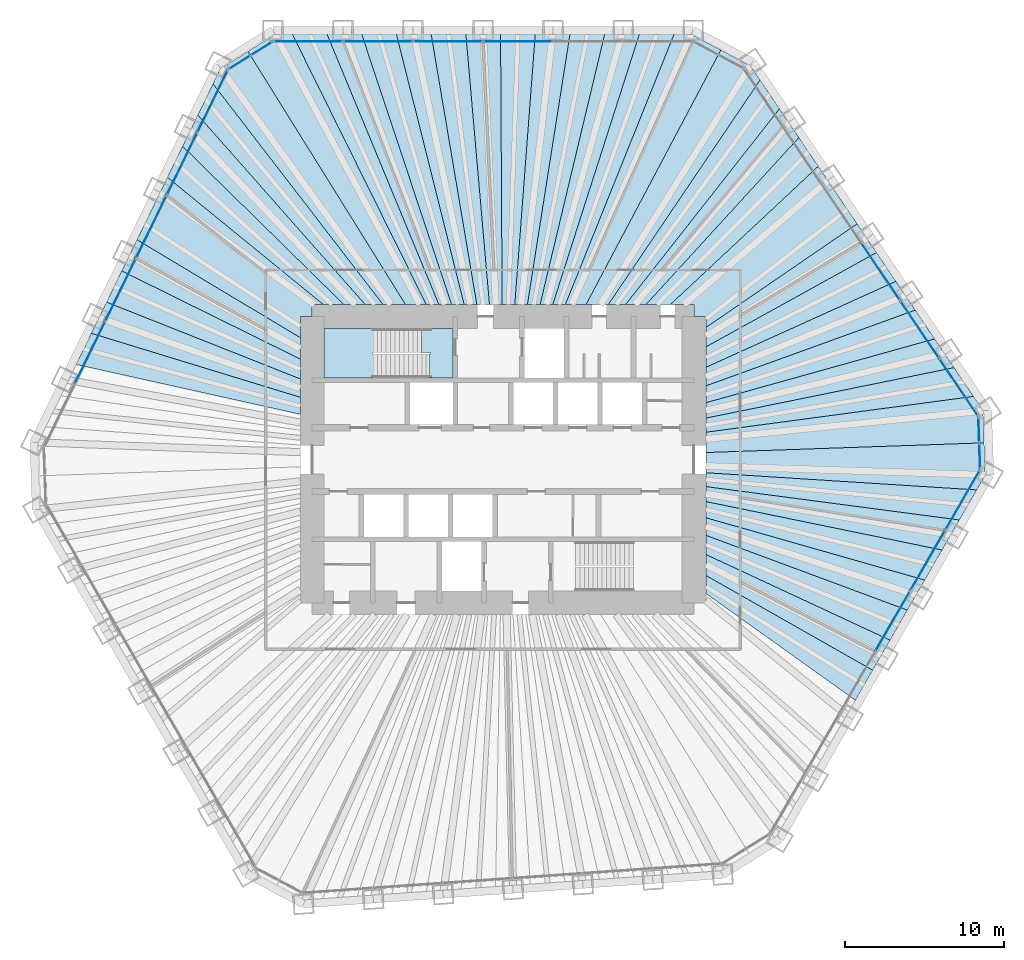
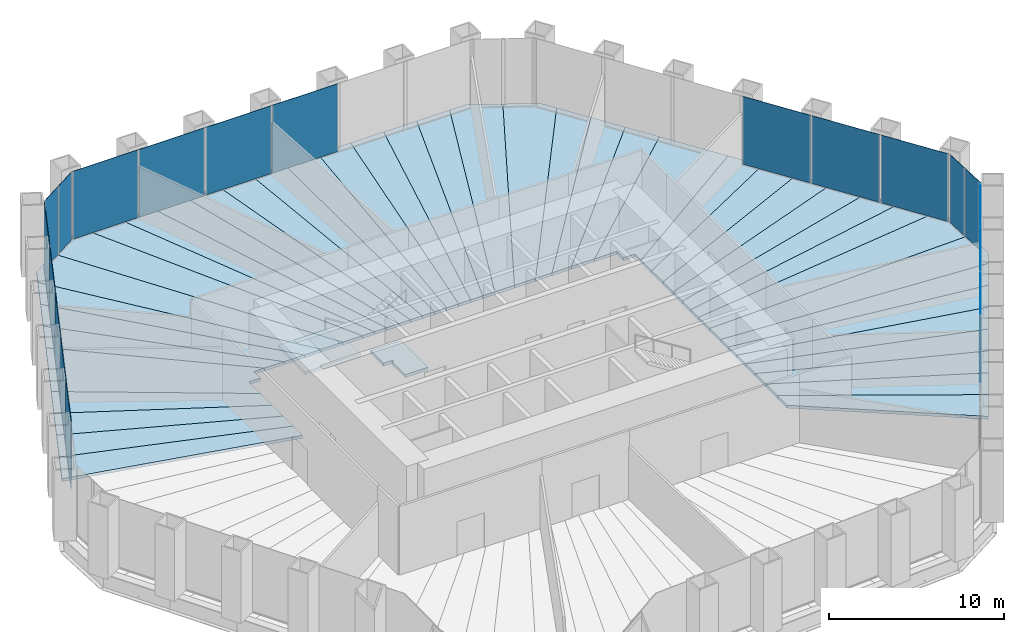
# One storey, part 9 of 14: 44 slabs, 19 plates, 7 elements without a shape of their own.
"""IFC4 building model written with IfcOpenShell, lengths in metres."""

from ifc_helpers import new_model, si_unit, direction, frame, origin, origin_2d, place, context, subcontext, project, spatial, polyline, rectangle, outline, extrude, material, layer, layer_set, type_object, element, aggregate, save


model = new_model("IFC4")

# Units and contexts
model_context = context("Model", 3, precision=1e-05, world=origin(), true_north=direction((0.0, 1.0)))
body_context = subcontext(model_context, "Body", "Model", "MODEL_VIEW")
ifc_project = project(units=[si_unit("LENGTHUNIT", "METRE"), si_unit("AREAUNIT", "SQUARE_METRE"), si_unit("VOLUMEUNIT", "CUBIC_METRE"), si_unit("PLANEANGLEUNIT", "RADIAN"), si_unit("MASSUNIT", "GRAM", prefix="KILO")], contexts=[model_context])

# Site, building, storey
site_placement = place(None, origin())
site = spatial("IfcSite", under=ifc_project, at=site_placement, CompositionType="ELEMENT")
building_placement = place(site_placement, origin())
building = spatial("IfcBuilding", under=site, at=building_placement, Name="Qingtian Harvest Tower", CompositionType="ELEMENT")
storey_placement = place(building_placement, frame((0.0, 0.0, 52.0)))
storey = spatial("IfcBuildingStorey", under=building, at=storey_placement, Name="L10", CompositionType="ELEMENT", Elevation=52.0)

# Slabs
ifc_material_1 = material(Name="Concrete fc' 35 MPa", Category="concrete")
ifc_layer_1 = layer(ifc_material_1, 0.199951171875)
ifc_layer_set_1 = layer_set([ifc_layer_1], Name="Composite floor slab FS20 200")
slab_type_1 = type_object("IfcSlabType", Name="Composite floor slab FS20 200", PredefinedType="FLOOR", material=ifc_layer_set_1)
slab_1_placement = place(storey_placement, frame((0.0, 0.0, -0.199951171875)))
element("IfcSlab", 1, at=slab_1_placement, inside=storey, type_object=slab_type_1, Name="Floor slab L10 panel D32", PredefinedType="FLOOR", context=body_context, shape_type="SweptSolid", body=[
    extrude(outline(polyline([(12.75, -7.279052734375), (23.247802734375, -13.243408203125), (22.159423828125, -15.128662109375), (12.75, -8.4091796875), (12.75, -7.279052734375)])), origin(), (0.0, 0.0, 1.0), 0.199951171875),
])
slab_2_placement = place(storey_placement, frame((0.0, 0.0, -0.199951171875)))
element("IfcSlab", 2, at=slab_2_placement, inside=storey, type_object=slab_type_1, Name="Floor slab L10 panel D33", PredefinedType="FLOOR", context=body_context, shape_type="SweptSolid", body=[
    extrude(outline(polyline([(12.75, -5.96142578125), (24.339111328125, -11.353515625), (23.247802734375, -13.243408203125), (12.75, -7.279052734375), (12.75, -5.96142578125)])), origin(), (0.0, 0.0, 1.0), 0.199951171875),
])
slab_3_placement = place(storey_placement, frame((0.0, 0.0, -0.199951171875)))
element("IfcSlab", 3, at=slab_3_placement, inside=storey, type_object=slab_type_1, Name="Floor slab L10 panel D34", PredefinedType="FLOOR", context=body_context, shape_type="SweptSolid", body=[
    extrude(outline(polyline([(12.75, -4.757080078125), (25.43017578125, -9.46337890625), (24.339111328125, -11.353515625), (12.75, -5.96142578125), (12.75, -4.757080078125)])), origin(), (0.0, 0.0, 1.0), 0.199951171875),
])
slab_4_placement = place(storey_placement, frame((0.0, 0.0, -0.199951171875)))
element("IfcSlab", 4, at=slab_4_placement, inside=storey, type_object=slab_type_1, Name="Floor slab L10 panel D35", PredefinedType="FLOOR", context=body_context, shape_type="SweptSolid", body=[
    extrude(outline(polyline([(12.75, -3.651611328125), (26.521484375, -7.573486328125), (25.43017578125, -9.46337890625), (12.75, -4.757080078125), (12.75, -3.651611328125)])), origin(), (0.0, 0.0, 1.0), 0.199951171875),
])
slab_5_placement = place(storey_placement, frame((0.0, 0.0, -0.199951171875)))
element("IfcSlab", 5, at=slab_5_placement, inside=storey, type_object=slab_type_1, Name="Floor slab L10 panel D36", PredefinedType="FLOOR", context=body_context, shape_type="SweptSolid", body=[
    extrude(outline(polyline([(12.75, -2.634033203125), (27.612548828125, -5.68359375), (26.521484375, -7.573486328125), (12.75, -3.651611328125), (12.75, -2.634033203125)])), origin(), (0.0, 0.0, 1.0), 0.199951171875),
])
slab_6_placement = place(storey_placement, frame((0.0, 0.0, -0.199951171875)))
element("IfcSlab", 6, at=slab_6_placement, inside=storey, type_object=slab_type_1, Name="Floor slab L10 panel D37", PredefinedType="FLOOR", context=body_context, shape_type="SweptSolid", body=[
    extrude(outline(polyline([(12.75, -1.693603515625), (28.703857421875, -3.793701171875), (27.612548828125, -5.68359375), (12.75, -2.634033203125), (12.75, -1.693603515625)])), origin(), (0.0, 0.0, 1.0), 0.199951171875),
])
slab_7_placement = place(storey_placement, frame((0.0, 0.0, -0.199951171875)))
element("IfcSlab", 7, at=slab_7_placement, inside=storey, type_object=slab_type_1, Name="Floor slab L10 panel D38", PredefinedType="FLOOR", context=body_context, shape_type="SweptSolid", body=[
    extrude(outline(polyline([(12.75, -0.822265625), (29.794921875, -1.903564453125), (28.703857421875, -3.793701171875), (12.75, -1.693603515625), (12.75, -0.822265625)])), origin(), (0.0, 0.0, 1.0), 0.199951171875),
])
slab_8_placement = place(storey_placement, frame((0.0, 0.0, -0.199951171875)))
element("IfcSlab", 8, at=slab_8_placement, inside=storey, type_object=slab_type_1, Name="Floor slab L10 panel D39", PredefinedType="FLOOR", context=body_context, shape_type="SweptSolid", body=[
    extrude(outline(polyline([(12.75, -0.822265625), (12.75, 0.447265625), (30.2587890625, 1.056640625), (30.32958984375, -0.9775390625), (29.794921875, -1.903564453125), (12.75, -0.822265625)])), origin(), (0.0, 0.0, 1.0), 0.199951171875),
])
slab_9_placement = place(storey_placement, frame((0.0, 0.0, -0.199951171875)))
element("IfcSlab", 9, at=slab_9_placement, inside=storey, type_object=slab_type_1, Name="Floor slab L10 panel D40", PredefinedType="FLOOR", context=body_context, shape_type="SweptSolid", body=[
    extrude(outline(polyline([(12.75, 0.447265625), (12.75, 1.72265625), (29.589599609375, 3.977294921875), (30.187744140625, 3.0908203125), (30.2587890625, 1.056640625), (12.75, 0.447265625)])), origin(), (0.0, 0.0, 1.0), 0.199951171875),
])
slab_10_placement = place(storey_placement, frame((0.0, 0.0, -0.199951171875)))
element("IfcSlab", 10, at=slab_10_placement, inside=storey, type_object=slab_type_1, Name="Floor slab L10 panel D41", PredefinedType="FLOOR", context=body_context, shape_type="SweptSolid", body=[
    extrude(outline(polyline([(12.75, 2.610595703125), (28.369140625, 5.78662109375), (29.589599609375, 3.977294921875), (12.75, 1.72265625), (12.75, 2.610595703125)])), origin(), (0.0, 0.0, 1.0), 0.199951171875),
])
slab_11_placement = place(storey_placement, frame((0.0, 0.0, -0.199951171875)))
element("IfcSlab", 11, at=slab_11_placement, inside=storey, type_object=slab_type_1, Name="Floor slab L10 panel D42", PredefinedType="FLOOR", context=body_context, shape_type="SweptSolid", body=[
    extrude(outline(polyline([(12.75, 3.57861328125), (27.14892578125, 7.595947265625), (28.369140625, 5.78662109375), (12.75, 2.610595703125), (12.75, 3.57861328125)])), origin(), (0.0, 0.0, 1.0), 0.199951171875),
])
slab_12_placement = place(storey_placement, frame((0.0, 0.0, -0.199951171875)))
element("IfcSlab", 12, at=slab_12_placement, inside=storey, type_object=slab_type_1, Name="Floor slab L10 panel D43", PredefinedType="FLOOR", context=body_context, shape_type="SweptSolid", body=[
    extrude(outline(polyline([(12.75, 4.6376953125), (25.928466796875, 9.405029296875), (27.14892578125, 7.595947265625), (12.75, 3.57861328125), (12.75, 4.6376953125)])), origin(), (0.0, 0.0, 1.0), 0.199951171875),
])
slab_13_placement = place(storey_placement, frame((0.0, 0.0, -0.199951171875)))
element("IfcSlab", 13, at=slab_13_placement, inside=storey, type_object=slab_type_1, Name="Floor slab L10 panel D44", PredefinedType="FLOOR", context=body_context, shape_type="SweptSolid", body=[
    extrude(outline(polyline([(12.75, 5.8017578125), (24.708251953125, 11.21435546875), (25.928466796875, 9.405029296875), (12.75, 4.6376953125), (12.75, 5.8017578125)])), origin(), (0.0, 0.0, 1.0), 0.199951171875),
])
slab_14_placement = place(storey_placement, frame((0.0, 0.0, -0.199951171875)))
element("IfcSlab", 14, at=slab_14_placement, inside=storey, type_object=slab_type_1, Name="Floor slab L10 panel D45", PredefinedType="FLOOR", context=body_context, shape_type="SweptSolid", body=[
    extrude(outline(polyline([(12.75, 7.087158203125), (23.48779296875, 13.023681640625), (24.708251953125, 11.21435546875), (12.75, 5.8017578125), (12.75, 7.087158203125)])), origin(), (0.0, 0.0, 1.0), 0.199951171875),
])
slab_15_placement = place(storey_placement, frame((0.0, 0.0, -0.199951171875)))
element("IfcSlab", 15, at=slab_15_placement, inside=storey, type_object=slab_type_1, Name="Floor slab L10 panel D46", PredefinedType="FLOOR", context=body_context, shape_type="SweptSolid", body=[
    extrude(outline(polyline([(12.75, 8.30615234375), (22.26953125, 14.829833984375), (23.48779296875, 13.023681640625), (12.75, 7.087158203125), (12.75, 8.30615234375)])), origin(), (0.0, 0.0, 1.0), 0.199951171875),
])
slab_16_placement = place(storey_placement, frame((0.0, 0.0, -0.199951171875)))
element("IfcSlab", 16, at=slab_16_placement, inside=storey, type_object=slab_type_1, Name="Floor slab L10 panel D48", PredefinedType="FLOOR", context=body_context, shape_type="SweptSolid", body=[
    extrude(outline(polyline([(19.8271484375, 18.45068359375), (22.26953125, 14.829833984375), (12.75, 8.30615234375), (12.75, 9.0), (12.0, 9.0), (12.0, 9.75), (10.51806640625, 9.75), (19.8271484375, 18.45068359375)])), origin(), (0.0, 0.0, 1.0), 0.199951171875),
])
slab_17_placement = place(storey_placement, frame((0.0, 0.0, -0.199951171875)))
element("IfcSlab", 17, at=slab_17_placement, inside=storey, type_object=slab_type_1, Name="Floor slab L10 panel D49", PredefinedType="FLOOR", context=body_context, shape_type="SweptSolid", body=[
    extrude(outline(polyline([(8.985107421875, 9.75), (18.60693359375, 20.260009765625), (19.8271484375, 18.45068359375), (10.51806640625, 9.75), (8.985107421875, 9.75)])), origin(), (0.0, 0.0, 1.0), 0.199951171875),
])
slab_18_placement = place(storey_placement, frame((0.0, 0.0, -0.199951171875)))
element("IfcSlab", 18, at=slab_18_placement, inside=storey, type_object=slab_type_1, Name="Floor slab L10 panel D50", PredefinedType="FLOOR", context=body_context, shape_type="SweptSolid", body=[
    extrude(outline(polyline([(7.705078125, 9.75), (17.386474609375, 22.0693359375), (18.60693359375, 20.260009765625), (8.985107421875, 9.75), (7.705078125, 9.75)])), origin(), (0.0, 0.0, 1.0), 0.199951171875),
])
slab_19_placement = place(storey_placement, frame((0.0, 0.0, -0.199951171875)))
element("IfcSlab", 19, at=slab_19_placement, inside=storey, type_object=slab_type_1, Name="Floor slab L10 panel D51", PredefinedType="FLOOR", context=body_context, shape_type="SweptSolid", body=[
    extrude(outline(polyline([(6.61962890625, 9.75), (16.166015625, 23.87841796875), (17.386474609375, 22.0693359375), (7.705078125, 9.75), (6.61962890625, 9.75)])), origin(), (0.0, 0.0, 1.0), 0.199951171875),
])
slab_20_placement = place(storey_placement, frame((0.0, 0.0, -0.199951171875)))
element("IfcSlab", 20, at=slab_20_placement, inside=storey, type_object=slab_type_1, Name="Floor slab L10 panel D52", PredefinedType="FLOOR", context=body_context, shape_type="SweptSolid", body=[
    extrude(outline(polyline([(6.61962890625, 9.75), (5.21875, 9.75), (13.697265625, 25.760009765625), (15.56787109375, 24.765380859375), (16.166015625, 23.87841796875), (6.61962890625, 9.75)])), origin(), (0.0, 0.0, 1.0), 0.199951171875),
])
slab_21_placement = place(storey_placement, frame((0.0, 0.0, -0.199951171875)))
element("IfcSlab", 21, at=slab_21_placement, inside=storey, type_object=slab_type_1, Name="Floor slab L10 panel D53", PredefinedType="FLOOR", context=body_context, shape_type="SweptSolid", body=[
    extrude(outline(polyline([(3.919921875, 9.75), (10.756591796875, 26.7548828125), (11.825927734375, 26.7548828125), (13.697265625, 25.760009765625), (5.21875, 9.75), (3.919921875, 9.75)])), origin(), (0.0, 0.0, 1.0), 0.199951171875),
])
slab_22_placement = place(storey_placement, frame((0.0, 0.0, -0.199951171875)))
element("IfcSlab", 22, at=slab_22_placement, inside=storey, type_object=slab_type_1, Name="Floor slab L10 panel D54", PredefinedType="FLOOR", context=body_context, shape_type="SweptSolid", body=[
    extrude(outline(polyline([(3.12451171875, 9.75), (8.57421875, 26.7548828125), (10.756591796875, 26.7548828125), (3.919921875, 9.75), (3.12451171875, 9.75)])), origin(), (0.0, 0.0, 1.0), 0.199951171875),
])
slab_23_placement = place(storey_placement, frame((0.0, 0.0, -0.199951171875)))
element("IfcSlab", 23, at=slab_23_placement, inside=storey, type_object=slab_type_1, Name="Floor slab L10 panel D55", PredefinedType="FLOOR", context=body_context, shape_type="SweptSolid", body=[
    extrude(outline(polyline([(2.329345703125, 9.75), (6.391845703125, 26.7548828125), (8.57421875, 26.7548828125), (3.12451171875, 9.75), (2.329345703125, 9.75)])), origin(), (0.0, 0.0, 1.0), 0.199951171875),
])
slab_24_placement = place(storey_placement, frame((0.0, 0.0, -0.199951171875)))
element("IfcSlab", 24, at=slab_24_placement, inside=storey, type_object=slab_type_1, Name="Floor slab L10 panel D56", PredefinedType="FLOOR", context=body_context, shape_type="SweptSolid", body=[
    extrude(outline(polyline([(1.533935546875, 9.75), (4.20947265625, 26.7548828125), (6.391845703125, 26.7548828125), (2.329345703125, 9.75), (1.533935546875, 9.75)])), origin(), (0.0, 0.0, 1.0), 0.199951171875),
])
slab_25_placement = place(storey_placement, frame((0.0, 0.0, -0.199951171875)))
element("IfcSlab", 25, at=slab_25_placement, inside=storey, type_object=slab_type_1, Name="Floor slab L10 panel D57", PredefinedType="FLOOR", context=body_context, shape_type="SweptSolid", body=[
    extrude(outline(polyline([(0.73876953125, 9.75), (2.02734375, 26.7548828125), (4.20947265625, 26.7548828125), (1.533935546875, 9.75), (0.73876953125, 9.75)])), origin(), (0.0, 0.0, 1.0), 0.199951171875),
])
slab_26_placement = place(storey_placement, frame((0.0, 0.0, -0.199951171875)))
element("IfcSlab", 26, at=slab_26_placement, inside=storey, type_object=slab_type_1, Name="Floor slab L10 panel D58", PredefinedType="FLOOR", context=body_context, shape_type="SweptSolid", body=[
    extrude(outline(polyline([(-0.056396484375, 9.75), (-0.155029296875, 26.7548828125), (2.02734375, 26.7548828125), (0.73876953125, 9.75), (-0.056396484375, 9.75)])), origin(), (0.0, 0.0, 1.0), 0.199951171875),
])
slab_27_placement = place(storey_placement, frame((0.0, 0.0, -0.199951171875)))
element("IfcSlab", 27, at=slab_27_placement, inside=storey, type_object=slab_type_1, Name="Floor slab L10 panel D59", PredefinedType="FLOOR", context=body_context, shape_type="SweptSolid", body=[
    extrude(outline(polyline([(-0.851806640625, 9.75), (-2.33740234375, 26.7548828125), (-0.155029296875, 26.7548828125), (-0.056396484375, 9.75), (-0.851806640625, 9.75)])), origin(), (0.0, 0.0, 1.0), 0.199951171875),
])
slab_28_placement = place(storey_placement, frame((0.0, 0.0, -0.199951171875)))
element("IfcSlab", 28, at=slab_28_placement, inside=storey, type_object=slab_type_1, Name="Floor slab L10 panel D60", PredefinedType="FLOOR", context=body_context, shape_type="SweptSolid", body=[
    extrude(outline(polyline([(-1.64697265625, 9.75), (-4.519775390625, 26.7548828125), (-2.33740234375, 26.7548828125), (-0.851806640625, 9.75), (-1.64697265625, 9.75)])), origin(), (0.0, 0.0, 1.0), 0.199951171875),
])
slab_29_placement = place(storey_placement, frame((0.0, 0.0, -0.199951171875)))
element("IfcSlab", 29, at=slab_29_placement, inside=storey, type_object=slab_type_1, Name="Floor slab L10 panel D61", PredefinedType="FLOOR", context=body_context, shape_type="SweptSolid", body=[
    extrude(outline(polyline([(-2.4423828125, 9.75), (-6.7021484375, 26.7548828125), (-4.519775390625, 26.7548828125), (-1.64697265625, 9.75), (-2.4423828125, 9.75)])), origin(), (0.0, 0.0, 1.0), 0.199951171875),
])
slab_30_placement = place(storey_placement, frame((0.0, 0.0, -0.199951171875)))
element("IfcSlab", 30, at=slab_30_placement, inside=storey, type_object=slab_type_1, Name="Floor slab L10 panel D62", PredefinedType="FLOOR", context=body_context, shape_type="SweptSolid", body=[
    extrude(outline(polyline([(-3.237548828125, 9.75), (-8.88427734375, 26.7548828125), (-6.7021484375, 26.7548828125), (-2.4423828125, 9.75), (-3.237548828125, 9.75)])), origin(), (0.0, 0.0, 1.0), 0.199951171875),
])
slab_31_placement = place(storey_placement, frame((0.0, 0.0, -0.199951171875)))
element("IfcSlab", 31, at=slab_31_placement, inside=storey, type_object=slab_type_1, Name="Floor slab L10 panel D63", PredefinedType="FLOOR", context=body_context, shape_type="SweptSolid", body=[
    extrude(outline(polyline([(-4.032958984375, 9.75), (-11.066650390625, 26.7548828125), (-8.88427734375, 26.7548828125), (-3.237548828125, 9.75), (-4.032958984375, 9.75)])), origin(), (0.0, 0.0, 1.0), 0.199951171875),
])
slab_32_placement = place(storey_placement, frame((0.0, 0.0, -0.199951171875)))
element("IfcSlab", 32, at=slab_32_placement, inside=storey, type_object=slab_type_1, Name="Floor slab L10 panel D64", PredefinedType="FLOOR", context=body_context, shape_type="SweptSolid", body=[
    extrude(outline(polyline([(-4.828125, 9.75), (-13.2490234375, 26.7548828125), (-11.066650390625, 26.7548828125), (-4.032958984375, 9.75), (-4.828125, 9.75)])), origin(), (0.0, 0.0, 1.0), 0.199951171875),
])
slab_33_placement = place(storey_placement, frame((0.0, 0.0, -0.199951171875)))
element("IfcSlab", 33, at=slab_33_placement, inside=storey, type_object=slab_type_1, Name="Floor slab L10 panel D65", PredefinedType="FLOOR", context=body_context, shape_type="SweptSolid", body=[
    extrude(outline(polyline([(-4.828125, 9.75), (-6.130126953125, 9.75), (-16.044921875, 25.67626953125), (-14.318359375, 26.7548828125), (-13.2490234375, 26.7548828125), (-4.828125, 9.75)])), origin(), (0.0, 0.0, 1.0), 0.199951171875),
])
slab_34_placement = place(storey_placement, frame((0.0, 0.0, -0.199951171875)))
element("IfcSlab", 34, at=slab_34_placement, inside=storey, type_object=slab_type_1, Name="Floor slab L10 panel D66", PredefinedType="FLOOR", context=body_context, shape_type="SweptSolid", body=[
    extrude(outline(polyline([(-6.130126953125, 9.75), (-7.544677734375, 9.75), (-18.239501953125, 23.636474609375), (-17.7705078125, 24.597900390625), (-16.044921875, 25.67626953125), (-6.130126953125, 9.75)])), origin(), (0.0, 0.0, 1.0), 0.199951171875),
])
slab_35_placement = place(storey_placement, frame((0.0, 0.0, -0.199951171875)))
element("IfcSlab", 35, at=slab_35_placement, inside=storey, type_object=slab_type_1, Name="Floor slab L10 panel D67", PredefinedType="FLOOR", context=body_context, shape_type="SweptSolid", body=[
    extrude(outline(polyline([(-8.662109375, 9.75), (-19.196044921875, 21.675048828125), (-18.239501953125, 23.636474609375), (-7.544677734375, 9.75), (-8.662109375, 9.75)])), origin(), (0.0, 0.0, 1.0), 0.199951171875),
])
slab_36_placement = place(storey_placement, frame((0.0, 0.0, -0.199951171875)))
element("IfcSlab", 36, at=slab_36_placement, inside=storey, type_object=slab_type_1, Name="Floor slab L10 panel D68", PredefinedType="FLOOR", context=body_context, shape_type="SweptSolid", body=[
    extrude(outline(polyline([(-10.00341796875, 9.75), (-20.15283203125, 19.71337890625), (-19.196044921875, 21.675048828125), (-8.662109375, 9.75), (-10.00341796875, 9.75)])), origin(), (0.0, 0.0, 1.0), 0.199951171875),
])
slab_37_placement = place(storey_placement, frame((0.0, 0.0, -0.199951171875)))
element("IfcSlab", 37, at=slab_37_placement, inside=storey, type_object=slab_type_1, Name="Floor slab L10 panel D69", PredefinedType="FLOOR", context=body_context, shape_type="SweptSolid", body=[
    extrude(outline(polyline([(-11.2939453125, 9.75), (-21.107666015625, 17.755859375), (-20.15283203125, 19.71337890625), (-10.00341796875, 9.75), (-11.2939453125, 9.75)])), origin(), (0.0, 0.0, 1.0), 0.199951171875),
])
slab_38_placement = place(storey_placement, frame((0.0, 0.0, -0.199951171875)))
element("IfcSlab", 38, at=slab_38_placement, inside=storey, type_object=slab_type_1, Name="Floor slab L10 panel D70", PredefinedType="FLOOR", context=body_context, shape_type="SweptSolid", body=[
    extrude(outline(polyline([(-12.0, 9.0), (-12.75, 9.0), (-12.75, 7.67333984375), (-23.0224609375, 13.82958984375), (-21.107666015625, 17.755859375), (-11.2939453125, 9.75), (-12.0, 9.75), (-12.0, 9.0)])), origin(), (0.0, 0.0, 1.0), 0.199951171875),
])
slab_39_placement = place(storey_placement, frame((0.0, 0.0, -0.199951171875)))
element("IfcSlab", 39, at=slab_39_placement, inside=storey, type_object=slab_type_1, Name="Floor slab L10 panel D72", PredefinedType="FLOOR", context=body_context, shape_type="SweptSolid", body=[
    extrude(outline(polyline([(-12.75, 6.3232421875), (-23.979248046875, 11.8681640625), (-23.0224609375, 13.82958984375), (-12.75, 7.67333984375), (-12.75, 6.3232421875)])), origin(), (0.0, 0.0, 1.0), 0.199951171875),
])
slab_40_placement = place(storey_placement, frame((0.0, 0.0, -0.199951171875)))
element("IfcSlab", 40, at=slab_40_placement, inside=storey, type_object=slab_type_1, Name="Floor slab L10 panel D73", PredefinedType="FLOOR", context=body_context, shape_type="SweptSolid", body=[
    extrude(outline(polyline([(-12.75, 5.076904296875), (-24.935791015625, 9.90673828125), (-23.979248046875, 11.8681640625), (-12.75, 6.3232421875), (-12.75, 5.076904296875)])), origin(), (0.0, 0.0, 1.0), 0.199951171875),
])
slab_41_placement = place(storey_placement, frame((0.0, 0.0, -0.199951171875)))
element("IfcSlab", 41, at=slab_41_placement, inside=storey, type_object=slab_type_1, Name="Floor slab L10 panel D74", PredefinedType="FLOOR", context=body_context, shape_type="SweptSolid", body=[
    extrude(outline(polyline([(-12.75, 3.922607421875), (-25.892578125, 7.9453125), (-24.935791015625, 9.90673828125), (-12.75, 5.076904296875), (-12.75, 3.922607421875)])), origin(), (0.0, 0.0, 1.0), 0.199951171875),
])
slab_42_placement = place(storey_placement, frame((0.0, 0.0, -0.199951171875)))
element("IfcSlab", 42, at=slab_42_placement, inside=storey, type_object=slab_type_1, Name="Floor slab L10 panel D75", PredefinedType="FLOOR", context=body_context, shape_type="SweptSolid", body=[
    extrude(outline(polyline([(-12.75, 2.8505859375), (-26.84912109375, 5.98388671875), (-25.892578125, 7.9453125), (-12.75, 3.922607421875), (-12.75, 2.8505859375)])), origin(), (0.0, 0.0, 1.0), 0.199951171875),
])

# Curtain wall, plates
ifc_material_2 = material(Name="Bronze-anodised aluminium curtain wall", Category="aluminium")
curtain_wall_type = type_object("IfcCurtainWallType", Name="Curtain wall CW2 farm reception", PredefinedType="USERDEFINED", material=ifc_material_2)
curtain_wall_1_placement = place(storey_placement, origin())
curtain_wall_1 = element("IfcCurtainWall", 43, at=curtain_wall_1_placement, inside=storey, type_object=curtain_wall_type, Name="Curtain wall CW2 L10 N0-5", ObjectType="RECESSED CURTAIN WALL", PredefinedType="USERDEFINED")
ifc_material_3 = material(Name="Bronze-tinted laminated insulating glass", Category="glass")
ifc_layer_2 = layer(ifc_material_3, 0.030029296875)
ifc_layer_set_2 = layer_set([ifc_layer_2], Name="Glazed panel CWP tinted IGU")
plate_type = type_object("IfcPlateType", Name="Glazed panel CWP tinted IGU", PredefinedType="CURTAIN_PANEL", material=ifc_layer_set_2)
plate_1_placement = place(storey_placement, frame((-12.2529296875, 26.300048828125, 0.06494140625), z_axis=(0.0, 0.0, 1.0), x_axis=(1.0, 0.0, 0.0)))
plate_1 = element("IfcPlate", 44, at=plate_1_placement, type_object=plate_type, Name="CW2 panel 1.1", PredefinedType="CURTAIN_PANEL", context=body_context, shape_type="SweptSolid", body=[
    extrude(rectangle(XDim=4.30712890625, YDim=0.030029296875, at=origin_2d()), origin(), (0.0, 0.0, 1.0), 4.735107421875),
])
plate_2_placement = place(storey_placement, frame((-7.864501953125, 26.300048828125, 0.06494140625), z_axis=(0.0, 0.0, 1.0), x_axis=(1.0, 0.0, 0.0)))
plate_2 = element("IfcPlate", 45, at=plate_2_placement, type_object=plate_type, Name="CW2 panel 2.1", PredefinedType="CURTAIN_PANEL", context=body_context, shape_type="SweptSolid", body=[
    extrude(rectangle(XDim=4.339599609375, YDim=0.030029296875, at=origin_2d()), origin(), (0.0, 0.0, 1.0), 4.735107421875),
])
plate_3_placement = place(storey_placement, frame((-3.4599609375, 26.300048828125, 0.06494140625), z_axis=(0.0, 0.0, 1.0), x_axis=(1.0, 0.0, 0.0)))
plate_3 = element("IfcPlate", 46, at=plate_3_placement, type_object=plate_type, Name="CW2 panel 3.1", PredefinedType="CURTAIN_PANEL", context=body_context, shape_type="SweptSolid", body=[
    extrude(rectangle(XDim=4.339599609375, YDim=0.030029296875, at=origin_2d()), origin(), (0.0, 0.0, 1.0), 4.735107421875),
])
plate_4_placement = place(storey_placement, frame((0.944580078125, 26.300048828125, 0.06494140625), z_axis=(0.0, 0.0, 1.0), x_axis=(1.0, 0.0, 0.0)))
plate_4 = element("IfcPlate", 47, at=plate_4_placement, type_object=plate_type, Name="CW2 panel 4.1", PredefinedType="CURTAIN_PANEL", context=body_context, shape_type="SweptSolid", body=[
    extrude(rectangle(XDim=4.339599609375, YDim=0.030029296875, at=origin_2d()), origin(), (0.0, 0.0, 1.0), 4.735107421875),
])
aggregate(curtain_wall_1, [plate_1, plate_2, plate_3, plate_4])

curtain_wall_2_placement = place(storey_placement, origin())
curtain_wall_2 = element("IfcCurtainWall", 48, at=curtain_wall_2_placement, inside=storey, type_object=curtain_wall_type, Name="Curtain wall CW2 L10 NE0-5", ObjectType="RECESSED CURTAIN WALL", PredefinedType="USERDEFINED")
plate_5_placement = place(storey_placement, frame((23.738525390625, 11.83837890625, 0.06494140625), z_axis=(0.0, 0.0, 1.0), x_axis=(0.559192903471, -0.829037572555, 0.0)))
plate_5 = element("IfcPlate", 49, at=plate_5_placement, type_object=plate_type, Name="CW2 panel 4.1", PredefinedType="CURTAIN_PANEL", context=body_context, shape_type="SweptSolid", body=[
    extrude(rectangle(XDim=4.339599609375, YDim=0.030029296875, at=origin_2d()), origin(), (0.0, 0.0, 1.0), 4.735107421875),
])
plate_6_placement = place(storey_placement, frame((26.201416015625, 8.186767578125, 0.06494140625), z_axis=(0.0, 0.0, 1.0), x_axis=(0.559192903471, -0.829037572555, 0.0)))
plate_6 = element("IfcPlate", 50, at=plate_6_placement, type_object=plate_type, Name="CW2 panel 5.1", PredefinedType="CURTAIN_PANEL", context=body_context, shape_type="SweptSolid", body=[
    extrude(rectangle(XDim=4.339599609375, YDim=0.030029296875, at=origin_2d()), origin(), (0.0, 0.0, 1.0), 4.735107421875),
])
plate_7_placement = place(storey_placement, frame((28.655517578125, 4.548583984375, 0.06494140625), z_axis=(0.0, 0.0, 1.0), x_axis=(0.559192903471, -0.829037572555, 0.0)))
plate_7 = element("IfcPlate", 51, at=plate_7_placement, type_object=plate_type, Name="CW2 panel 6.1", PredefinedType="CURTAIN_PANEL", context=body_context, shape_type="SweptSolid", body=[
    extrude(rectangle(XDim=4.30712890625, YDim=0.030029296875, at=origin_2d()), origin(), (0.0, 0.0, 1.0), 4.735107421875),
])
aggregate(curtain_wall_2, [plate_5, plate_6, plate_7])

curtain_wall_3_placement = place(storey_placement, origin())
curtain_wall_3 = element("IfcCurtainWall", 52, at=curtain_wall_3_placement, inside=storey, type_object=curtain_wall_type, Name="Curtain wall CW2 L10 NEC", ObjectType="RECESSED CURTAIN WALL", PredefinedType="USERDEFINED")
plate_8_placement = place(storey_placement, frame((29.925537109375, 1.861572265625, 0.06494140625), z_axis=(0.0, 0.0, 1.0), x_axis=(0.034899496703, -0.999390827019, 0.0)))
plate_8 = element("IfcPlate", 53, at=plate_8_placement, type_object=plate_type, Name="CW2 panel 1.1", PredefinedType="CURTAIN_PANEL", context=body_context, shape_type="SweptSolid", body=[
    extrude(rectangle(XDim=1.56689453125, YDim=0.030029296875, at=origin_2d()), origin(), (0.0, 0.0, 1.0), 4.735107421875),
])
plate_9_placement = place(storey_placement, frame((29.982666015625, 0.23046875, 0.06494140625), z_axis=(0.0, 0.0, 1.0), x_axis=(0.034899496703, -0.999390827019, 0.0)))
plate_9 = element("IfcPlate", 54, at=plate_9_placement, type_object=plate_type, Name="CW2 panel 2.1", PredefinedType="CURTAIN_PANEL", context=body_context, shape_type="SweptSolid", body=[
    extrude(rectangle(XDim=1.56689453125, YDim=0.030029296875, at=origin_2d()), origin(), (0.0, 0.0, 1.0), 4.735107421875),
])
aggregate(curtain_wall_3, [plate_8, plate_9])

curtain_wall_4_placement = place(storey_placement, origin())
curtain_wall_4 = element("IfcCurtainWall", 55, at=curtain_wall_4_placement, inside=storey, type_object=curtain_wall_type, Name="Curtain wall CW2 L10 SE0-5", ObjectType="RECESSED CURTAIN WALL", PredefinedType="USERDEFINED")
plate_10_placement = place(storey_placement, frame((28.90283203125, -2.53857421875, 0.06494140625), z_axis=(0.0, 0.0, 1.0), x_axis=(-0.5, -0.866025403784, 0.0)))
plate_10 = element("IfcPlate", 56, at=plate_10_placement, type_object=plate_type, Name="CW2 panel 1.1", PredefinedType="CURTAIN_PANEL", context=body_context, shape_type="SweptSolid", body=[
    extrude(rectangle(XDim=4.30712890625, YDim=0.030029296875, at=origin_2d()), origin(), (0.0, 0.0, 1.0), 4.735107421875),
])
plate_11_placement = place(storey_placement, frame((26.708740234375, -6.339111328125, 0.06494140625), z_axis=(0.0, 0.0, 1.0), x_axis=(-0.5, -0.866025403784, 0.0)))
plate_11 = element("IfcPlate", 57, at=plate_11_placement, type_object=plate_type, Name="CW2 panel 2.1", PredefinedType="CURTAIN_PANEL", context=body_context, shape_type="SweptSolid", body=[
    extrude(rectangle(XDim=4.339599609375, YDim=0.030029296875, at=origin_2d()), origin(), (0.0, 0.0, 1.0), 4.735107421875),
])
plate_12_placement = place(storey_placement, frame((24.50634765625, -10.153564453125, 0.06494140625), z_axis=(0.0, 0.0, 1.0), x_axis=(-0.5, -0.866025403784, 0.0)))
plate_12 = element("IfcPlate", 58, at=plate_12_placement, type_object=plate_type, Name="CW2 panel 3.1", PredefinedType="CURTAIN_PANEL", context=body_context, shape_type="SweptSolid", body=[
    extrude(rectangle(XDim=4.339599609375, YDim=0.030029296875, at=origin_2d()), origin(), (0.0, 0.0, 1.0), 4.735107421875),
])
aggregate(curtain_wall_4, [plate_10, plate_11, plate_12])

curtain_wall_5_placement = place(storey_placement, origin())
curtain_wall_5 = element("IfcCurtainWall", 59, at=curtain_wall_5_placement, inside=storey, type_object=curtain_wall_type, Name="Curtain wall CW2 L10 NW0-5", ObjectType="RECESSED CURTAIN WALL", PredefinedType="USERDEFINED")
plate_13_placement = place(storey_placement, frame((-25.983154296875, 6.72119140625, 0.06494140625), z_axis=(0.0, 0.0, 1.0), x_axis=(0.438371146789, 0.898794046299, 0.0)))
plate_13 = element("IfcPlate", 60, at=plate_13_placement, type_object=plate_type, Name="CW2 panel 2.1", PredefinedType="CURTAIN_PANEL", context=body_context, shape_type="SweptSolid", body=[
    extrude(rectangle(XDim=4.339599609375, YDim=0.030029296875, at=origin_2d()), origin(), (0.0, 0.0, 1.0), 4.735107421875),
])
plate_14_placement = place(storey_placement, frame((-24.052490234375, 10.68017578125, 0.06494140625), z_axis=(0.0, 0.0, 1.0), x_axis=(0.438371146789, 0.898794046299, 0.0)))
plate_14 = element("IfcPlate", 61, at=plate_14_placement, type_object=plate_type, Name="CW2 panel 3.1", PredefinedType="CURTAIN_PANEL", context=body_context, shape_type="SweptSolid", body=[
    extrude(rectangle(XDim=4.339599609375, YDim=0.030029296875, at=origin_2d()), origin(), (0.0, 0.0, 1.0), 4.735107421875),
])
plate_15_placement = place(storey_placement, frame((-22.12158203125, 14.638916015625, 0.06494140625), z_axis=(0.0, 0.0, 1.0), x_axis=(0.438371146789, 0.898794046299, 0.0)))
plate_15 = element("IfcPlate", 62, at=plate_15_placement, type_object=plate_type, Name="CW2 panel 4.1", PredefinedType="CURTAIN_PANEL", context=body_context, shape_type="SweptSolid", body=[
    extrude(rectangle(XDim=4.339599609375, YDim=0.030029296875, at=origin_2d()), origin(), (0.0, 0.0, 1.0), 4.735107421875),
])
plate_16_placement = place(storey_placement, frame((-20.190673828125, 18.597900390625, 0.06494140625), z_axis=(0.0, 0.0, 1.0), x_axis=(0.438371146789, 0.898794046299, 0.0)))
plate_16 = element("IfcPlate", 63, at=plate_16_placement, type_object=plate_type, Name="CW2 panel 5.1", PredefinedType="CURTAIN_PANEL", context=body_context, shape_type="SweptSolid", body=[
    extrude(rectangle(XDim=4.339599609375, YDim=0.030029296875, at=origin_2d()), origin(), (0.0, 0.0, 1.0), 4.735107421875),
])
plate_17_placement = place(storey_placement, frame((-18.266845703125, 22.5419921875, 0.06494140625), z_axis=(0.0, 0.0, 1.0), x_axis=(0.438371146789, 0.898794046299, 0.0)))
plate_17 = element("IfcPlate", 64, at=plate_17_placement, type_object=plate_type, Name="CW2 panel 6.1", PredefinedType="CURTAIN_PANEL", context=body_context, shape_type="SweptSolid", body=[
    extrude(rectangle(XDim=4.30712890625, YDim=0.030029296875, at=origin_2d()), origin(), (0.0, 0.0, 1.0), 4.735107421875),
])
aggregate(curtain_wall_5, [plate_13, plate_14, plate_15, plate_16, plate_17])

curtain_wall_6_placement = place(storey_placement, origin())
curtain_wall_6 = element("IfcCurtainWall", 65, at=curtain_wall_6_placement, inside=storey, type_object=curtain_wall_type, Name="Curtain wall CW2 L10 NWC", ObjectType="RECESSED CURTAIN WALL", PredefinedType="USERDEFINED")
plate_18_placement = place(storey_placement, frame((-16.574951171875, 24.985595703125, 0.06494140625), z_axis=(0.0, 0.0, 1.0), x_axis=(0.848048096156, 0.529919264233, 0.0)))
plate_18 = element("IfcPlate", 66, at=plate_18_placement, type_object=plate_type, Name="CW2 panel 1.1", PredefinedType="CURTAIN_PANEL", context=body_context, shape_type="SweptSolid", body=[
    extrude(rectangle(XDim=1.56689453125, YDim=0.030029296875, at=origin_2d()), origin(), (0.0, 0.0, 1.0), 4.735107421875),
])
plate_19_placement = place(storey_placement, frame((-15.19091796875, 25.850341796875, 0.06494140625), z_axis=(0.0, 0.0, 1.0), x_axis=(0.848048096156, 0.529919264233, 0.0)))
plate_19 = element("IfcPlate", 67, at=plate_19_placement, type_object=plate_type, Name="CW2 panel 2.1", PredefinedType="CURTAIN_PANEL", context=body_context, shape_type="SweptSolid", body=[
    extrude(rectangle(XDim=1.56689453125, YDim=0.030029296875, at=origin_2d()), origin(), (0.0, 0.0, 1.0), 4.735107421875),
])
aggregate(curtain_wall_6, [plate_18, plate_19])

# Stair, slabs
ifc_material_4 = material(Name="Concrete fc' 35 MPa", Category="concrete")
stair_type = type_object("IfcStairType", Name="Special stair ST2 5000", PredefinedType="HALF_TURN_STAIR", material=ifc_material_4)
stair_placement = place(storey_placement, origin())
stair = element("IfcStair", 68, at=stair_placement, inside=storey, type_object=stair_type, Name="Special stair S1 L10", PredefinedType="HALF_TURN_STAIR")
ifc_material_5 = material(Name="Concrete fc' 35 MPa", Category="concrete")
ifc_layer_3 = layer(ifc_material_5, 0.199951171875)
ifc_layer_set_3 = layer_set([ifc_layer_3], Name="Stair landing SL2 200")
slab_type_2 = type_object("IfcSlabType", Name="Stair landing SL2 200", PredefinedType="LANDING", material=ifc_layer_set_3)
slab_43_placement = place(storey_placement, frame((0.0, 0.0, -0.199951171875)))
slab_43 = element("IfcSlab", 69, at=slab_43_placement, type_object=slab_type_2, Name="S1 landing 1", PredefinedType="LANDING", context=body_context, shape_type="SweptSolid", body=[
    extrude(outline(polyline([(-4.64990234375, 5.14990234375), (-4.64990234375, 6.64990234375), (-4.550048828125, 6.64990234375), (-4.550048828125, 6.75), (-5.155029296875, 6.75), (-5.155029296875, 8.25), (-3.14990234375, 8.25), (-3.14990234375, 5.14990234375), (-4.64990234375, 5.14990234375)])), origin(), (0.0, 0.0, 1.0), 0.199951171875),
])
slab_44_placement = place(storey_placement, frame((0.0, 0.0, 2.300048828125)))
slab_44 = element("IfcSlab", 70, at=slab_44_placement, type_object=slab_type_2, Name="S1 landing 2", PredefinedType="LANDING", context=body_context, shape_type="SweptSolid", body=[
    extrude(outline(polyline([(-7.5849609375, 5.14990234375), (-11.25, 5.14990234375), (-11.25, 8.25), (-8.090087890625, 8.25), (-8.090087890625, 6.75), (-8.18994140625, 6.75), (-8.18994140625, 6.64990234375), (-7.5849609375, 6.64990234375), (-7.5849609375, 5.14990234375)])), origin(), (0.0, 0.0, 1.0), 0.199951171875),
])
aggregate(stair, [slab_43, slab_44])

save(model, "model.ifc")
